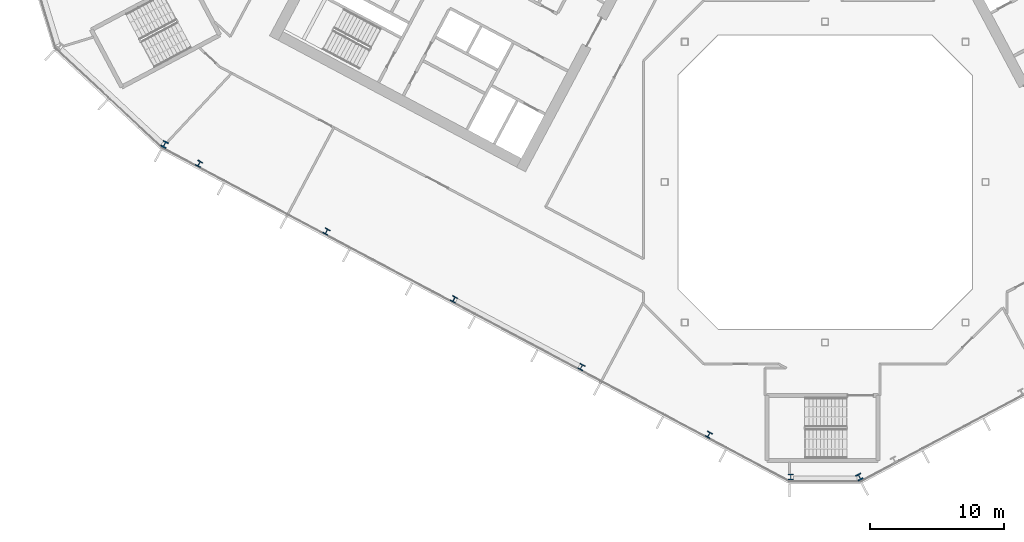
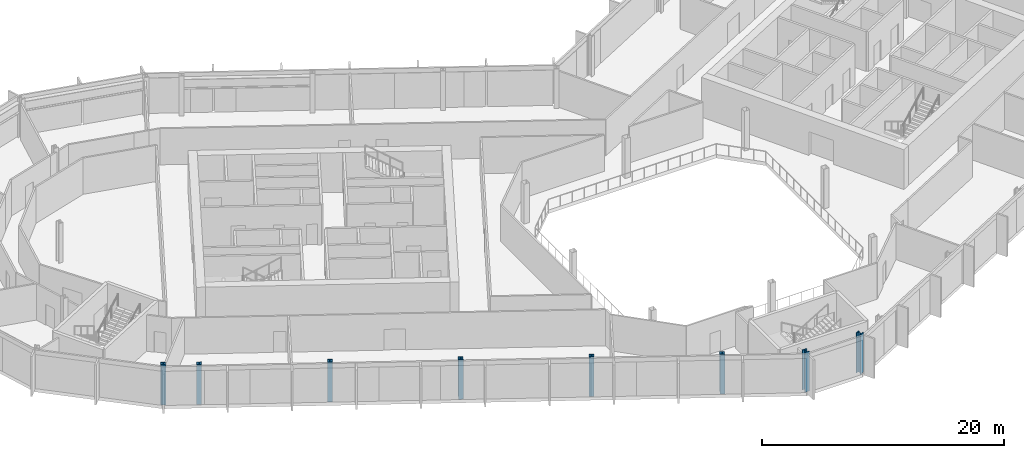
# One storey, part 1 of 28: 8 columns.
"""IFC4 building model written with IfcOpenShell, lengths in metres."""

from ifc_helpers import new_model, si_unit, direction, frame, origin, origin_2d, place, context, subcontext, project, spatial, i_section, extrude, material, material_profile, profile_set, type_object, element, save


model = new_model("IFC4")

# Units and contexts
model_context = context("Model", 3, precision=1e-05, world=origin(), true_north=direction((0.0, 1.0)))
body_context = subcontext(model_context, "Body", "Model", "MODEL_VIEW")
ifc_project = project(units=[si_unit("LENGTHUNIT", "METRE"), si_unit("AREAUNIT", "SQUARE_METRE"), si_unit("VOLUMEUNIT", "CUBIC_METRE"), si_unit("PLANEANGLEUNIT", "RADIAN"), si_unit("MASSUNIT", "GRAM", prefix="KILO")], contexts=[model_context])

# Site, building, storey
site_placement = place(None, origin())
site = spatial("IfcSite", under=ifc_project, at=site_placement, CompositionType="ELEMENT")
building_placement = place(site_placement, origin())
building = spatial("IfcBuilding", under=site, at=building_placement, Name="Cormorant Relay Tower", CompositionType="ELEMENT")
storey_placement = place(building_placement, frame((0.0, 0.0, 146.199951171875)))
storey = spatial("IfcBuildingStorey", under=building, at=storey_placement, Name="L30", CompositionType="ELEMENT", Elevation=146.199951171875)

# Columns
ifc_material_1 = material(Name="Steel ASTM A992 (Fy 345 MPa)", Category="steel")
ifc_material_profile_1 = material_profile(ifc_material_1, i_section(OverallWidth=0.41162109375, OverallDepth=0.434326171875, WebThickness=0.035888671875, FlangeThickness=0.057373046875, FilletRadius=0.01513671875, at=origin_2d()), Name="W360x463")
ifc_profile_set_1 = profile_set([ifc_material_profile_1], Name="Steel ASTM A992 (Fy 345 MPa)")
column_type_1 = type_object("IfcColumnType", Name="Column W360x463", PredefinedType="COLUMN", material=ifc_profile_set_1)
for number, where, z_axis, x_axis, name in (
    (1, (-8.696044921875, -18.910888671875, 0.0), (0.0, 0.0, 1.0), (0.882947592859, -0.469471562786, 0.0), "Column L30-004"),
    (2, (-18.23193359375, -13.841064453125, 0.0), (0.0, 0.0, 1.0), (0.882947592859, -0.469471562786, 0.0), "Column L30-006"),
    (3, (-27.76806640625, -8.77001953125, 0.0), (0.0, 0.0, 1.0), (0.882947592859, -0.469471562786, 0.0), "Column L30-011"),
    (4, (-37.303955078125, -3.699951171875, 0.0), (0.0, 0.0, 1.0), (0.882947592859, -0.469471562786, 0.0), "Column L30-013"),
    (5, (-46.839111328125, 1.3701171875, 0.0), (0.0, 0.0, 1.0), (0.882947592859, -0.469471562786, 0.0), "Column L30-018"),
):
    element("IfcColumn", number, at=place(storey_placement, frame(where, z_axis=z_axis, x_axis=x_axis)), inside=storey, type_object=column_type_1, Name=name, PredefinedType="COLUMN", context=body_context, shape_type="SweptSolid", body=[
        extrude(i_section(OverallWidth=0.41162109375, OverallDepth=0.434326171875, WebThickness=0.035888671875, FlangeThickness=0.057373046875, FilletRadius=0.01513671875, at=origin_2d()), origin(), (0.0, 0.0, 1.0), 4.0),
    ])
ifc_material_2 = material(Name="Steel ASTM A992 (Fy 345 MPa)", Category="steel")
ifc_material_profile_2 = material_profile(ifc_material_2, i_section(OverallWidth=0.42431640625, OverallDepth=0.47509765625, WebThickness=0.0478515625, FlangeThickness=0.0771484375, FilletRadius=0.014892578125, at=origin_2d()), Name="W360x634")
ifc_profile_set_2 = profile_set([ifc_material_profile_2], Name="Steel ASTM A992 (Fy 345 MPa)")
column_type_2 = type_object("IfcColumnType", Name="Column W360x634", PredefinedType="COLUMN", material=ifc_profile_set_2)
for number, where, z_axis, x_axis, name in (
    (6, (-2.571044921875, -22.06494140625, 0.0), (0.0, 0.0, 1.0), (1.0, 0.0, 0.0), "Column L30-001"),
    (7, (2.571044921875, -22.06494140625, 0.0), (0.0, 0.0, 1.0), (0.882947592859, 0.469471562786, 0.0), "Column L30-002"),
    (8, (-49.423095703125, 2.820068359375, 0.0), (0.0, 0.0, 1.0), (0.882947592859, -0.469471562786, 0.0), "Column L30-019"),
):
    element("IfcColumn", number, at=place(storey_placement, frame(where, z_axis=z_axis, x_axis=x_axis)), inside=storey, type_object=column_type_2, Name=name, PredefinedType="COLUMN", context=body_context, shape_type="SweptSolid", body=[
        extrude(i_section(OverallWidth=0.42431640625, OverallDepth=0.47509765625, WebThickness=0.0478515625, FlangeThickness=0.0771484375, FilletRadius=0.014892578125, at=origin_2d()), origin(), (0.0, 0.0, 1.0), 4.0),
    ])

save(model, "model.ifc")
